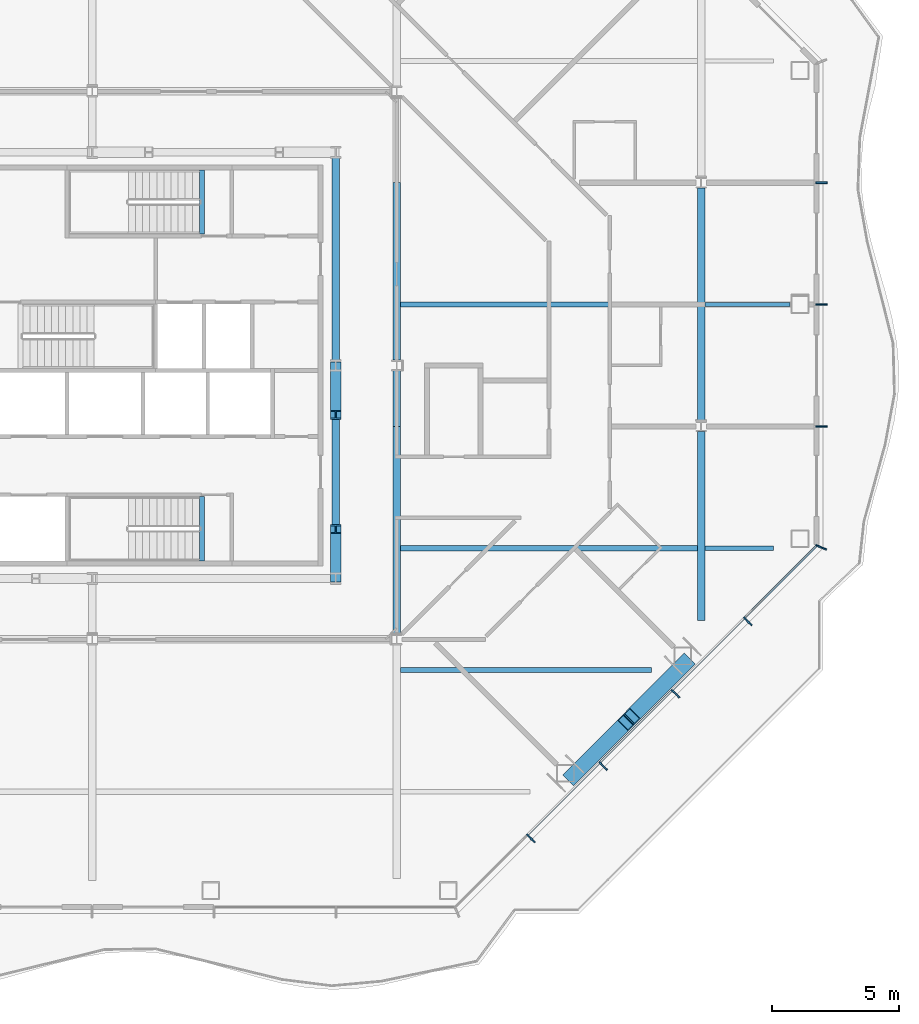
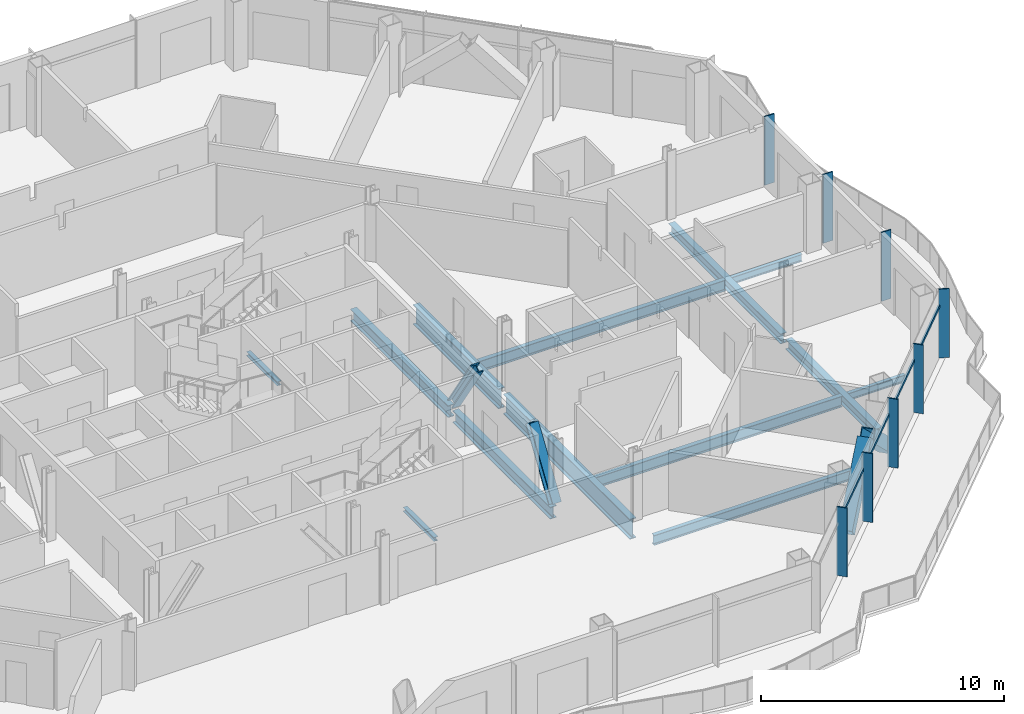
# One storey, part 4 of 24: 16 members, 14 beams, 2 elements without a shape of their own.
"""IFC4 building model written with IfcOpenShell, lengths in metres."""

from ifc_helpers import new_model, si_unit, direction, frame, origin, origin_2d, place, context, subcontext, project, spatial, rectangle, hollow_rectangle, i_section, extrude, material, material_profile, profile_set, type_object, element, aggregate, save


model = new_model("IFC4")

# Units and contexts
model_context = context("Model", 3, precision=1e-05, world=origin(), true_north=direction((0.0, 1.0)))
body_context = subcontext(model_context, "Body", "Model", "MODEL_VIEW")
ifc_project = project(units=[si_unit("LENGTHUNIT", "METRE"), si_unit("AREAUNIT", "SQUARE_METRE"), si_unit("VOLUMEUNIT", "CUBIC_METRE"), si_unit("PLANEANGLEUNIT", "RADIAN"), si_unit("MASSUNIT", "GRAM", prefix="KILO")], contexts=[model_context])

# Site, building, storey
site_placement = place(None, origin())
site = spatial("IfcSite", under=ifc_project, at=site_placement, CompositionType="ELEMENT")
building_placement = place(site_placement, origin())
building = spatial("IfcBuilding", under=site, at=building_placement, Name="Cairn Pilgrim Tower", CompositionType="ELEMENT")
storey_placement = place(building_placement, frame((0.0, 0.0, 125.39990234375)))
storey = spatial("IfcBuildingStorey", under=building, at=storey_placement, Name="L30", CompositionType="ELEMENT", Elevation=125.39990234375)

# Members
ifc_material_1 = material(Name="Structural steel S460M", Category="steel")
ifc_material_profile_1 = material_profile(ifc_material_1, hollow_rectangle(XDim=0.60009765625, YDim=0.60009765625, WallThickness=0.034912109375, at=origin_2d()), Name="BOX 600x600x35")
ifc_profile_set_1 = profile_set([ifc_material_profile_1], Name="Structural steel S460M")
member_type_1 = type_object("IfcMemberType", Name="BOX 600x600x35 BRACE", PredefinedType="BRACE", material=ifc_profile_set_1)
member_1_placement = place(storey_placement, frame((26.08837890625, -13.813720703125, 0.150146484375), z_axis=(0.53557713953, 0.53557713953, 0.652927450201), x_axis=(-0.707106781187, 0.707106781187, 0.0)))
element("IfcMember", 1, at=member_1_placement, inside=storey, type_object=member_type_1, Name="XB-SE2-SE3-1", PredefinedType="BRACE", context=body_context, shape_type="SweptSolid", body=[
    extrude(hollow_rectangle(XDim=0.60009765625, YDim=0.60009765625, WallThickness=0.034912109375, at=origin_2d()), origin(), (0.0, 0.0, 1.0), 4.0361328125),
])
member_2_placement = place(storey_placement, frame((30.613525390625, -9.288330078125, 0.150146484375), z_axis=(-0.535533998665, -0.535594490476, 0.652948602913), x_axis=(0.707146713802, -0.707066846316, 0.0)))
element("IfcMember", 2, at=member_2_placement, inside=storey, type_object=member_type_1, Name="XB-SE2-SE3-2", PredefinedType="BRACE", context=body_context, shape_type="SweptSolid", body=[
    extrude(hollow_rectangle(XDim=0.60009765625, YDim=0.60009765625, WallThickness=0.034912109375, at=origin_2d()), origin(), (0.0, 0.0, 1.0), 4.035888671875),
])

# Curtain wall, members
ifc_material_2 = material(Name="Aluminium alloy 6063-T6 bronze anodised with Bronze tinted laminated low-E glass 8+16+8.8", Category="aluminium")
curtain_wall_type = type_object("IfcCurtainWallType", Name="FULL HEIGHT CURTAIN WALL", PredefinedType="NOTDEFINED", material=ifc_material_2)
curtain_wall_1_placement = place(storey_placement, origin())
curtain_wall_1 = element("IfcCurtainWall", 3, at=curtain_wall_1_placement, inside=storey, type_object=curtain_wall_type, Name="Full Height Curtain Wall SE", PredefinedType="NOTDEFINED")
ifc_material_3 = material(Name="Aluminium alloy 6063-T6 bronze anodised", Category="aluminium")
ifc_material_profile_2 = material_profile(ifc_material_3, rectangle(XDim=0.449951171875, YDim=0.06005859375, at=origin_2d()), Name="FIN MULLION 60x450 BRONZE")
ifc_profile_set_2 = profile_set([ifc_material_profile_2], Name="Aluminium alloy 6063-T6 bronze anodised")
member_type_2 = type_object("IfcMemberType", Name="FIN MULLION 60x450 BRONZE", PredefinedType="MULLION", material=ifc_profile_set_2)
member_3_placement = place(storey_placement, frame((24.485107421875, -16.237060546875, 0.0), z_axis=(0.0, 0.0, 1.0), x_axis=(0.707106781187, -0.707106781187, 0.0)))
member_3 = element("IfcMember", 4, at=member_3_placement, type_object=member_type_2, Name="Fin mullion SE2", PredefinedType="MULLION", context=body_context, shape_type="SweptSolid", body=[
    extrude(rectangle(XDim=0.449951171875, YDim=0.06005859375, at=origin_2d()), origin(), (0.0, 0.0, 1.0), 3.4501953125),
])
member_4_placement = place(storey_placement, frame((27.335693359375, -13.386474609375, 0.0), z_axis=(0.0, 0.0, 1.0), x_axis=(0.707106781187, -0.707106781187, 0.0)))
member_4 = element("IfcMember", 5, at=member_4_placement, type_object=member_type_2, Name="Fin mullion SE3", PredefinedType="MULLION", context=body_context, shape_type="SweptSolid", body=[
    extrude(rectangle(XDim=0.449951171875, YDim=0.06005859375, at=origin_2d()), origin(), (0.0, 0.0, 1.0), 3.4501953125),
])
member_5_placement = place(storey_placement, frame((30.1865234375, -10.53564453125, 0.0), z_axis=(0.0, 0.0, 1.0), x_axis=(0.707106781187, -0.707106781187, 0.0)))
member_5 = element("IfcMember", 6, at=member_5_placement, type_object=member_type_2, Name="Fin mullion SE4", PredefinedType="MULLION", context=body_context, shape_type="SweptSolid", body=[
    extrude(rectangle(XDim=0.449951171875, YDim=0.06005859375, at=origin_2d()), origin(), (0.0, 0.0, 1.0), 3.4501953125),
])
member_6_placement = place(storey_placement, frame((33.037109375, -7.68505859375, 0.0), z_axis=(0.0, 0.0, 1.0), x_axis=(0.707106781187, -0.707106781187, 0.0)))
member_6 = element("IfcMember", 7, at=member_6_placement, type_object=member_type_2, Name="Fin mullion SE5", PredefinedType="MULLION", context=body_context, shape_type="SweptSolid", body=[
    extrude(rectangle(XDim=0.449951171875, YDim=0.06005859375, at=origin_2d()), origin(), (0.0, 0.0, 1.0), 3.4501953125),
])

curtain_wall_2_placement = place(storey_placement, origin())
curtain_wall_2 = element("IfcCurtainWall", 8, at=curtain_wall_2_placement, inside=storey, type_object=curtain_wall_type, Name="Full Height Curtain Wall E", PredefinedType="NOTDEFINED")
member_7_placement = place(storey_placement, frame((35.93017578125, -4.77099609375, 0.0), z_axis=(0.0, 0.0, 1.0), x_axis=(0.923879532511, -0.382683432365, 0.0)))
member_7 = element("IfcMember", 9, at=member_7_placement, type_object=member_type_2, Name="Fin mullion E1", PredefinedType="MULLION", context=body_context, shape_type="SweptSolid", body=[
    extrude(rectangle(XDim=0.449951171875, YDim=0.06005859375, at=origin_2d()), origin(), (0.0, 0.0, 1.0), 3.4501953125),
])
member_8_placement = place(storey_placement, frame((35.945068359375, 0.0, 0.0), z_axis=(0.0, 0.0, 1.0), x_axis=(1.0, 0.0, 0.0)))
member_8 = element("IfcMember", 10, at=member_8_placement, type_object=member_type_2, Name="Fin mullion E2", PredefinedType="MULLION", context=body_context, shape_type="SweptSolid", body=[
    extrude(rectangle(XDim=0.449951171875, YDim=0.06005859375, at=origin_2d()), origin(), (0.0, 0.0, 1.0), 3.4501953125),
])
member_9_placement = place(storey_placement, frame((35.945068359375, 4.800048828125, 0.0), z_axis=(0.0, 0.0, 1.0), x_axis=(1.0, 0.0, 0.0)))
member_9 = element("IfcMember", 11, at=member_9_placement, type_object=member_type_2, Name="Fin mullion E3", PredefinedType="MULLION", context=body_context, shape_type="SweptSolid", body=[
    extrude(rectangle(XDim=0.449951171875, YDim=0.06005859375, at=origin_2d()), origin(), (0.0, 0.0, 1.0), 3.4501953125),
])
member_10_placement = place(storey_placement, frame((35.945068359375, 9.60009765625, 0.0), z_axis=(0.0, 0.0, 1.0), x_axis=(1.0, 0.0, 0.0)))
member_10 = element("IfcMember", 12, at=member_10_placement, type_object=member_type_2, Name="Fin mullion E4", PredefinedType="MULLION", context=body_context, shape_type="SweptSolid", body=[
    extrude(rectangle(XDim=0.449951171875, YDim=0.06005859375, at=origin_2d()), origin(), (0.0, 0.0, 1.0), 3.4501953125),
])
aggregate(curtain_wall_2, [member_7, member_8, member_9, member_10])

# Members
ifc_material_profile_3 = material_profile(ifc_material_1, i_section(OverallWidth=0.408935546875, OverallDepth=0.425048828125, WebThickness=0.03271484375, FlangeThickness=0.052490234375, FilletRadius=0.014892578125, at=origin_2d()), Name="HD 400x421")
ifc_profile_set_3 = profile_set([ifc_material_profile_3], Name="Structural steel S460M")
member_type_3 = type_object("IfcMemberType", Name="HD 400x421 BRACE", PredefinedType="BRACE", material=ifc_profile_set_3)
for number, where, z_axis, x_axis, name in (
    (13, (16.800048828125, -5.95751953125, 0.10009765625), (0.0, 0.548840864027, 0.83592685444), (-1.0, 0.0, 0.0), "KB-2A"),
    (14, (16.800048828125, 2.357666015625, 0.10009765625), (0.0, -0.54889002984, 0.835894571786), (1.0, 0.0, 0.0), "KB-2B"),
):
    element("IfcMember", number, at=place(storey_placement, frame(where, z_axis=z_axis, x_axis=x_axis)), inside=storey, type_object=member_type_3, Name=name, PredefinedType="BRACE", context=body_context, shape_type="SweptSolid", body=[
        extrude(i_section(OverallWidth=0.408935546875, OverallDepth=0.425048828125, WebThickness=0.03271484375, FlangeThickness=0.052490234375, FilletRadius=0.014892578125, at=origin_2d()), origin(), (0.0, 0.0, 1.0), 3.4697265625),
    ])

# Beams
ifc_material_4 = material(Name="Structural steel S355J2", Category="steel")
ifc_material_profile_4 = material_profile(ifc_material_4, i_section(OverallWidth=0.300048828125, OverallDepth=0.5, WebThickness=0.014404296875, FlangeThickness=0.028076171875, FilletRadius=0.027099609375, at=origin_2d()), Name="HEB 500")
ifc_profile_set_4 = profile_set([ifc_material_profile_4], Name="Structural steel S355J2")
beam_type_1 = type_object("IfcBeamType", Name="HEB 500 GIRDER", PredefinedType="BEAM", material=ifc_profile_set_4)
beam_1_placement = place(storey_placement, frame((31.199951171875, -7.650146484375, -0.39990234375), z_axis=(0.0, 1.0, 0.0), x_axis=(-1.0, 0.0, 0.0)))
element("IfcBeam", 15, at=beam_1_placement, inside=storey, type_object=beam_type_1, Name="PG5-1", PredefinedType="BEAM", context=body_context, shape_type="SweptSolid", body=[
    extrude(i_section(OverallWidth=0.300048828125, OverallDepth=0.5, WebThickness=0.014404296875, FlangeThickness=0.028076171875, FilletRadius=0.027099609375, at=origin_2d()), origin(), (0.0, 0.0, 1.0), 7.445556640625),
])
beam_2_placement = place(storey_placement, frame((31.199951171875, 0.20458984375, -0.39990234375), z_axis=(0.0, 1.0, 0.0), x_axis=(-1.0, 0.0, 0.0)))
element("IfcBeam", 16, at=beam_2_placement, inside=storey, type_object=beam_type_1, Name="PG5-2", PredefinedType="BEAM", context=body_context, shape_type="SweptSolid", body=[
    extrude(i_section(OverallWidth=0.300048828125, OverallDepth=0.5, WebThickness=0.014404296875, FlangeThickness=0.028076171875, FilletRadius=0.027099609375, at=origin_2d()), origin(), (0.0, 0.0, 1.0), 9.19091796875),
])
ifc_material_profile_5 = material_profile(ifc_material_4, i_section(OverallWidth=0.300048828125, OverallDepth=0.60009765625, WebThickness=0.015380859375, FlangeThickness=0.030029296875, FilletRadius=0.027099609375, at=origin_2d()), Name="HEB 600")
ifc_profile_set_5 = profile_set([ifc_material_profile_5], Name="Structural steel S355J2")
beam_type_2 = type_object("IfcBeamType", Name="HEB 600 CORE BEAM", PredefinedType="BEAM", material=ifc_profile_set_5)
for number, where, z_axis, x_axis, name in (
    (17, (16.800048828125, -5.80908203125, -0.449951171875), (0.0, 1.0, 0.0), (-1.0, 0.0, 0.0), "CB-3"),
    (18, (16.800048828125, 2.5908203125, -0.449951171875), (0.0, 1.0, 0.0), (-1.0, 0.0, 0.0), "CB-4"),
):
    element("IfcBeam", number, at=place(storey_placement, frame(where, z_axis=z_axis, x_axis=x_axis)), inside=storey, type_object=beam_type_2, Name=name, PredefinedType="BEAM", context=body_context, shape_type="SweptSolid", body=[
        extrude(i_section(OverallWidth=0.300048828125, OverallDepth=0.60009765625, WebThickness=0.015380859375, FlangeThickness=0.030029296875, FilletRadius=0.027099609375, at=origin_2d()), origin(), (0.0, 0.0, 1.0), 8.018310546875),
    ])
ifc_material_profile_6 = material_profile(ifc_material_4, i_section(OverallWidth=0.302001953125, OverallDepth=1.008056640625, WebThickness=0.02099609375, FlangeThickness=0.0400390625, FilletRadius=0.030029296875, at=origin_2d()), Name="HEM 1000")
ifc_profile_set_6 = profile_set([ifc_material_profile_6], Name="Structural steel S355J2")
beam_type_3 = type_object("IfcBeamType", Name="HEM 1000 GIRDER", PredefinedType="BEAM", material=ifc_profile_set_6)
beam_3_placement = place(storey_placement, frame((19.199951171875, -8.195556640625, -0.65380859375), z_axis=(0.0, 1.0, 0.0), x_axis=(-1.0, 0.0, 0.0)))
element("IfcBeam", 19, at=beam_3_placement, inside=storey, type_object=beam_type_3, Name="PG4-2", PredefinedType="BEAM", context=body_context, shape_type="SweptSolid", body=[
    extrude(i_section(OverallWidth=0.302001953125, OverallDepth=1.008056640625, WebThickness=0.02099609375, FlangeThickness=0.0400390625, FilletRadius=0.030029296875, at=origin_2d()), origin(), (0.0, 0.0, 1.0), 8.195556640625),
])
beam_4_placement = place(storey_placement, frame((19.199951171875, 0.0, -0.65380859375), z_axis=(0.0, 1.0, 0.0), x_axis=(-1.0, 0.0, 0.0)))
element("IfcBeam", 20, at=beam_4_placement, inside=storey, type_object=beam_type_3, Name="PG4-E1", PredefinedType="BEAM", context=body_context, shape_type="SweptSolid", body=[
    extrude(i_section(OverallWidth=0.302001953125, OverallDepth=1.008056640625, WebThickness=0.02099609375, FlangeThickness=0.0400390625, FilletRadius=0.030029296875, at=origin_2d()), origin(), (0.0, 0.0, 1.0), 2.195556640625),
])
beam_5_placement = place(storey_placement, frame((19.199951171875, 2.6044921875, -0.65380859375), z_axis=(0.0, 1.0, 0.0), x_axis=(-1.0, 0.0, 0.0)))
element("IfcBeam", 21, at=beam_5_placement, inside=storey, type_object=beam_type_3, Name="PG4-3", PredefinedType="BEAM", context=body_context, shape_type="SweptSolid", body=[
    extrude(i_section(OverallWidth=0.302001953125, OverallDepth=1.008056640625, WebThickness=0.02099609375, FlangeThickness=0.0400390625, FilletRadius=0.030029296875, at=origin_2d()), origin(), (0.0, 0.0, 1.0), 6.99560546875),
])
ifc_material_profile_7 = material_profile(ifc_material_4, i_section(OverallWidth=0.169921875, OverallDepth=0.360107421875, WebThickness=0.008056640625, FlangeThickness=0.0126953125, FilletRadius=0.01806640625, at=origin_2d()), Name="IPE 360")
ifc_profile_set_7 = profile_set([ifc_material_profile_7], Name="Structural steel S355J2")
beam_type_4 = type_object("IfcBeamType", Name="IPE 360 SECONDARY BEAM", PredefinedType="JOIST", material=ifc_profile_set_7)
beam_6_placement = place(storey_placement, frame((31.35009765625, -4.800048828125, -0.329833984375), z_axis=(1.0, 0.0, 0.0), x_axis=(0.0, 1.0, 0.0)))
element("IfcBeam", 22, at=beam_6_placement, inside=storey, type_object=beam_type_4, Name="SB3-4", PredefinedType="JOIST", context=body_context, shape_type="SweptSolid", body=[
    extrude(i_section(OverallWidth=0.169921875, OverallDepth=0.360107421875, WebThickness=0.008056640625, FlangeThickness=0.0126953125, FilletRadius=0.01806640625, at=origin_2d()), origin(), (0.0, 0.0, 1.0), 2.699951171875),
])
beam_7_placement = place(storey_placement, frame((31.35009765625, 4.800048828125, -0.329833984375), z_axis=(1.0, 0.0, 0.0), x_axis=(0.0, 1.0, 0.0)))
element("IfcBeam", 23, at=beam_7_placement, inside=storey, type_object=beam_type_4, Name="SB5-4", PredefinedType="JOIST", context=body_context, shape_type="SweptSolid", body=[
    extrude(i_section(OverallWidth=0.169921875, OverallDepth=0.360107421875, WebThickness=0.008056640625, FlangeThickness=0.0126953125, FilletRadius=0.01806640625, at=origin_2d()), origin(), (0.0, 0.0, 1.0), 3.349853515625),
])
ifc_material_profile_8 = material_profile(ifc_material_4, i_section(OverallWidth=0.199951171875, OverallDepth=0.5, WebThickness=0.01025390625, FlangeThickness=0.01611328125, FilletRadius=0.02099609375, at=origin_2d()), Name="IPE 500")
ifc_profile_set_8 = profile_set([ifc_material_profile_8], Name="Structural steel S355J2")
beam_type_5 = type_object("IfcBeamType", Name="IPE 500 SECONDARY BEAM", PredefinedType="JOIST", material=ifc_profile_set_8)
beam_8_placement = place(storey_placement, frame((19.35009765625, -9.60009765625, -0.39990234375), z_axis=(1.0, 0.0, 0.0), x_axis=(0.0, 1.0, 0.0)))
element("IfcBeam", 24, at=beam_8_placement, inside=storey, type_object=beam_type_5, Name="SB2-2", PredefinedType="JOIST", context=body_context, shape_type="SweptSolid", body=[
    extrude(i_section(OverallWidth=0.199951171875, OverallDepth=0.5, WebThickness=0.01025390625, FlangeThickness=0.01611328125, FilletRadius=0.02099609375, at=origin_2d()), origin(), (0.0, 0.0, 1.0), 9.89990234375),
])
ifc_material_profile_9 = material_profile(ifc_material_4, i_section(OverallWidth=0.2099609375, OverallDepth=0.550048828125, WebThickness=0.010986328125, FlangeThickness=0.01708984375, FilletRadius=0.02392578125, at=origin_2d()), Name="IPE 550")
ifc_profile_set_9 = profile_set([ifc_material_profile_9], Name="Structural steel S355J2")
beam_type_6 = type_object("IfcBeamType", Name="IPE 550 SECONDARY BEAM", PredefinedType="JOIST", material=ifc_profile_set_9)
for number, where, z_axis, x_axis, name in (
    (25, (19.35009765625, -4.800048828125, -0.4248046875), (1.0, 0.0, 0.0), (0.0, 1.0, 0.0), "SB3-3"),
    (26, (19.35009765625, 4.800048828125, -0.4248046875), (1.0, 0.0, 0.0), (0.0, 1.0, 0.0), "SB5-3"),
):
    element("IfcBeam", number, at=place(storey_placement, frame(where, z_axis=z_axis, x_axis=x_axis)), inside=storey, type_object=beam_type_6, Name=name, PredefinedType="JOIST", context=body_context, shape_type="SweptSolid", body=[
        extrude(i_section(OverallWidth=0.2099609375, OverallDepth=0.550048828125, WebThickness=0.010986328125, FlangeThickness=0.01708984375, FilletRadius=0.02392578125, at=origin_2d()), origin(), (0.0, 0.0, 1.0), 11.699951171875),
    ])
ifc_material_profile_10 = material_profile(ifc_material_4, i_section(OverallWidth=0.199951171875, OverallDepth=0.199951171875, WebThickness=0.009033203125, FlangeThickness=0.014892578125, FilletRadius=0.01806640625, at=origin_2d()), Name="HE 200 B")
ifc_profile_set_10 = profile_set([ifc_material_profile_10], Name="Structural steel S355J2")
beam_type_7 = type_object("IfcBeamType", Name="STAIR LANDING BEAM HE 200 B", PredefinedType="BEAM", material=ifc_profile_set_10)
for number, where, z_axis, x_axis, name in (
    (27, (11.5244140625, -2.77490234375, -0.25), (0.0, -1.0, 0.0), (1.0, 0.0, 0.0), "STAIR LANDING BEAM LD-HE200B"),
    (28, (11.5244140625, 10.10009765625, -0.25), (0.0, -1.0, 0.0), (1.0, 0.0, 0.0), "STAIR LANDING BEAM LD-HE200B"),
):
    element("IfcBeam", number, at=place(storey_placement, frame(where, z_axis=z_axis, x_axis=x_axis)), inside=storey, type_object=beam_type_7, Name=name, PredefinedType="BEAM", context=body_context, shape_type="SweptSolid", body=[
        extrude(i_section(OverallWidth=0.199951171875, OverallDepth=0.199951171875, WebThickness=0.009033203125, FlangeThickness=0.014892578125, FilletRadius=0.01806640625, at=origin_2d()), origin(), (0.0, 0.0, 1.0), 2.525146484375),
    ])

# Member
ifc_material_profile_11 = material_profile(ifc_material_3, rectangle(XDim=0.080078125, YDim=0.14990234375, at=origin_2d()), Name="TRANSOM 80x150 BRONZE")
ifc_profile_set_11 = profile_set([ifc_material_profile_11], Name="Aluminium alloy 6063-T6 bronze anodised")
member_type_4 = type_object("IfcMemberType", Name="TRANSOM 80x150 BRONZE", PredefinedType="USERDEFINED", material=ifc_profile_set_11)
member_11_placement = place(storey_placement, frame((24.368408203125, -16.078125, 2.60009765625), z_axis=(0.707106781187, 0.707106781187, 0.0), x_axis=(-0.707106781187, 0.707106781187, 0.0)))
member_11 = element("IfcMember", 29, at=member_11_placement, type_object=member_type_4, Name="Transom SE2", ObjectType="TRANSOM", PredefinedType="USERDEFINED", context=body_context, shape_type="SweptSolid", body=[
    extrude(rectangle(XDim=0.080078125, YDim=0.14990234375, at=origin_2d()), origin(), (0.0, 0.0, 1.0), 3.9716796875),
])

member_12_placement = place(storey_placement, frame((27.218994140625, -13.227294921875, 2.60009765625), z_axis=(0.70713751761, 0.707076043427, 0.0), x_axis=(-0.707076043427, 0.70713751761, 0.0)))
member_12 = element("IfcMember", 30, at=member_12_placement, type_object=member_type_4, Name="Transom SE3", ObjectType="TRANSOM", PredefinedType="USERDEFINED", context=body_context, shape_type="SweptSolid", body=[
    extrude(rectangle(XDim=0.080078125, YDim=0.14990234375, at=origin_2d()), origin(), (0.0, 0.0, 1.0), 3.971435546875),
])

member_13_placement = place(storey_placement, frame((30.06982421875, -10.376708984375, 2.60009765625), z_axis=(0.707106781187, 0.707106781187, 0.0), x_axis=(-0.707106781187, 0.707106781187, 0.0)))
member_13 = element("IfcMember", 31, at=member_13_placement, type_object=member_type_4, Name="Transom SE4", ObjectType="TRANSOM", PredefinedType="USERDEFINED", context=body_context, shape_type="SweptSolid", body=[
    extrude(rectangle(XDim=0.080078125, YDim=0.14990234375, at=origin_2d()), origin(), (0.0, 0.0, 1.0), 3.9716796875),
])

member_14_placement = place(storey_placement, frame((32.92041015625, -7.52587890625, 2.60009765625), z_axis=(0.707106781187, 0.707106781187, 0.0), x_axis=(-0.707106781187, 0.707106781187, 0.0)))
member_14 = element("IfcMember", 32, at=member_14_placement, type_object=member_type_4, Name="Transom SE5", ObjectType="TRANSOM", PredefinedType="USERDEFINED", context=body_context, shape_type="SweptSolid", body=[
    extrude(rectangle(XDim=0.080078125, YDim=0.14990234375, at=origin_2d()), origin(), (0.0, 0.0, 1.0), 3.961669921875),
])

aggregate(curtain_wall_1, [member_3, member_4, member_5, member_6, member_11, member_12, member_13, member_14])

save(model, "model.ifc")
